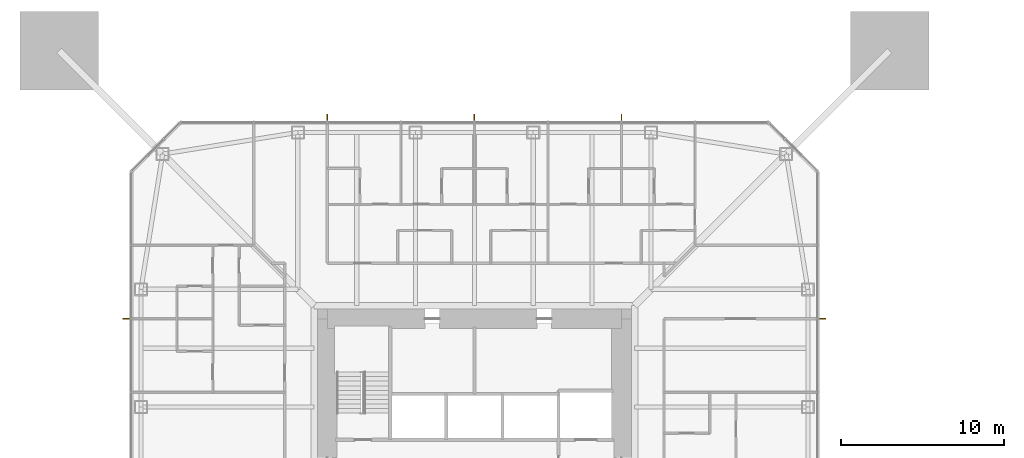
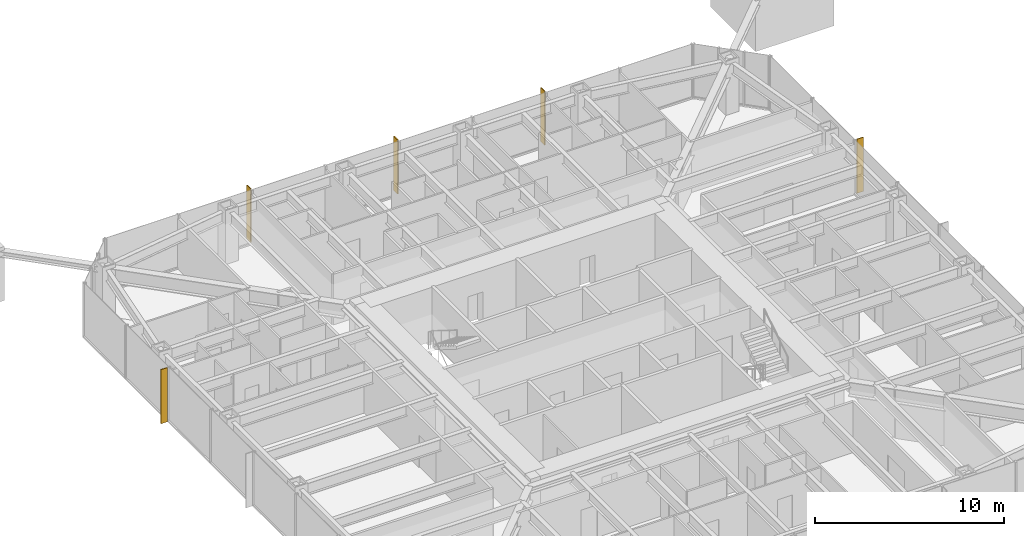
# One storey, part 24 of 25: 5 shading devices.
"""IFC4 building model written with IfcOpenShell, lengths in metres."""

from ifc_helpers import new_model, si_unit, direction, frame, origin, origin_2d, place, context, subcontext, project, spatial, rectangle, extrude, material, layer, layer_set, type_object, element, save


model = new_model("IFC4")

# Units and contexts
model_context = context("Model", 3, precision=1e-05, world=origin(), true_north=direction((0.0, 1.0)))
body_context = subcontext(model_context, "Body", "Model", "MODEL_VIEW")
ifc_project = project(units=[si_unit("LENGTHUNIT", "METRE"), si_unit("AREAUNIT", "SQUARE_METRE"), si_unit("VOLUMEUNIT", "CUBIC_METRE"), si_unit("PLANEANGLEUNIT", "RADIAN"), si_unit("MASSUNIT", "GRAM", prefix="KILO")], contexts=[model_context])

# Site, building, storey
site_placement = place(None, origin())
site = spatial("IfcSite", under=ifc_project, at=site_placement, CompositionType="ELEMENT")
building_placement = place(site_placement, origin())
building = spatial("IfcBuilding", under=site, at=building_placement, Name="Iwan Alto Co-Living Towers", CompositionType="ELEMENT")
storey_placement = place(building_placement, frame((0.0, 0.0, 119.0)))
storey = spatial("IfcBuildingStorey", under=building, at=storey_placement, Name="L32", CompositionType="ELEMENT", Elevation=119.0)

# Shading devices
ifc_material = material(Name="Aluminium 6063-T6 bronze anodised", Category="aluminium")
ifc_layer = layer(ifc_material, 0.050048828125)
ifc_layer_set = layer_set([ifc_layer], Name="BRONZE FIN 50X400")
shading_device_type = type_object("IfcShadingDeviceType", Name="BRONZE FIN 50X400", PredefinedType="USERDEFINED", material=ifc_layer_set)
for number, where, z_axis, x_axis, name in (
    (1, (21.300048828125, 9.0, 0.0), (0.0, 0.0, 1.0), (0.0, 1.0, 0.0), "Bronze fin L32"),
    (2, (9.0, 21.300048828125, 0.0), (0.0, 0.0, 1.0), (-1.0, 0.0, 0.0), "Bronze fin L32"),
    (3, (0.0, 21.300048828125, 0.0), (0.0, 0.0, 1.0), (-1.0, 0.0, 0.0), "Bronze fin L32"),
    (4, (-9.0, 21.300048828125, 0.0), (0.0, 0.0, 1.0), (-1.0, 0.0, 0.0), "Bronze fin L32"),
    (5, (-21.300048828125, 9.0, 0.0), (0.0, 0.0, 1.0), (0.0, -1.0, 0.0), "Bronze fin L32"),
):
    element("IfcShadingDevice", number, at=place(storey_placement, frame(where, z_axis=z_axis, x_axis=x_axis)), inside=storey, type_object=shading_device_type, Name=name, ObjectType="LOUVER", PredefinedType="USERDEFINED", context=body_context, shape_type="SweptSolid", body=[
        extrude(rectangle(XDim=0.050048828125, YDim=0.39990234375, at=origin_2d()), origin(), (0.0, 0.0, 1.0), 3.5),
    ])

save(model, "model.ifc")
